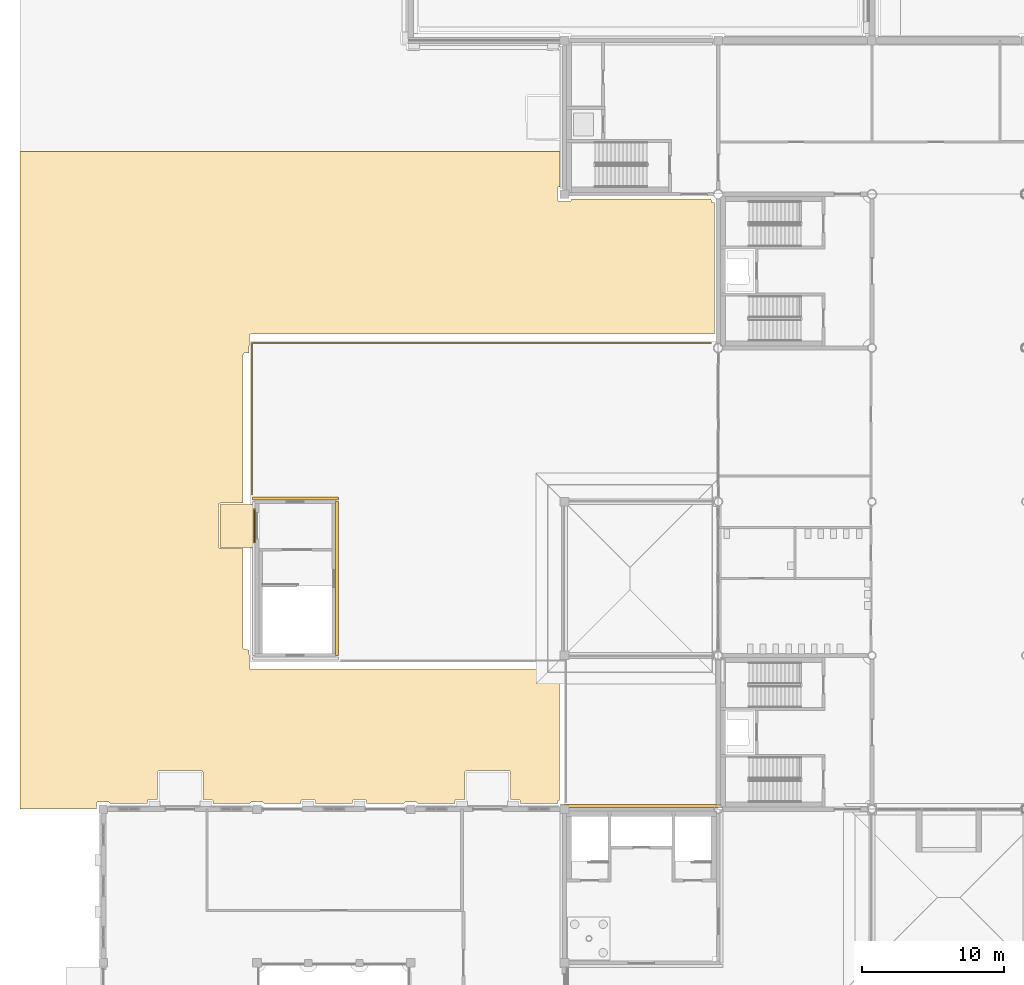
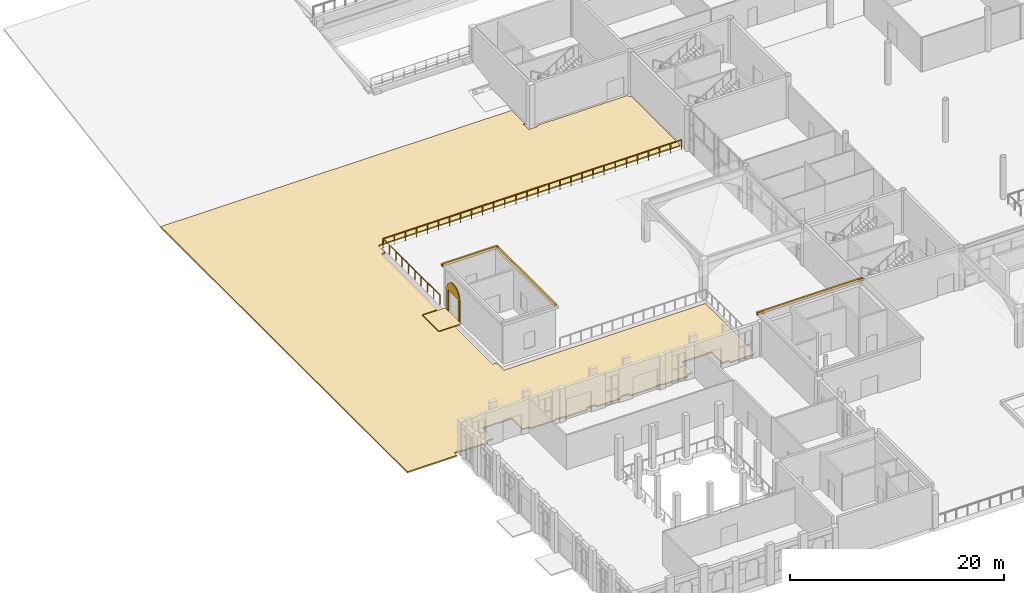
# One storey, part 77 of 91: 6 coverings, 1 railing.
"""IFC4 building model written with IfcOpenShell, lengths in metres."""

from ifc_helpers import new_model, si_unit, direction, frame, origin, origin_2d, place, context, subcontext, project, spatial, polyline, rectangle, circle, outline, extrude, material, layer, layer_set, type_object, element, save


model = new_model("IFC4")

# Units and contexts
model_context = context("Model", 3, precision=1e-05, world=origin(), true_north=direction((0.0, 1.0)))
body_context = subcontext(model_context, "Body", "Model", "MODEL_VIEW")
ifc_project = project(units=[si_unit("LENGTHUNIT", "METRE"), si_unit("AREAUNIT", "SQUARE_METRE"), si_unit("VOLUMEUNIT", "CUBIC_METRE"), si_unit("PLANEANGLEUNIT", "RADIAN"), si_unit("MASSUNIT", "GRAM", prefix="KILO")], contexts=[model_context])

# Site, building, storey
site_placement = place(None, origin())
site = spatial("IfcSite", under=ifc_project, at=site_placement, CompositionType="ELEMENT")
building_placement = place(site_placement, origin())
building = spatial("IfcBuilding", under=site, at=building_placement, Name="Magnolia Steps Interchange", CompositionType="ELEMENT")
storey_placement = place(building_placement, origin())
storey = spatial("IfcBuildingStorey", under=building, at=storey_placement, Name="L00", CompositionType="ELEMENT", Elevation=0.0)

# Coverings
ifc_material_1 = material(Name="Lime render")
ifc_layer_1 = layer(ifc_material_1, 0.10009765625)
ifc_layer_set_1 = layer_set([ifc_layer_1], Name="Arched doorway surround")
covering_type_1 = type_object("IfcCoveringType", Name="Arched doorway surround", PredefinedType="CLADDING", material=ifc_layer_set_1)
covering_1_placement = place(storey_placement, frame((20.675048828125, 63.5, 0.0), z_axis=(1.0, 0.0, 0.0), x_axis=(0.0, 0.0, 1.0)))
element("IfcCovering", 1, at=covering_1_placement, inside=storey, type_object=covering_type_1, Name="Arched doorway surround BE-W", PredefinedType="CLADDING", context=body_context, shape_type="SweptSolid", body=[
    extrude(outline(polyline([(0.0, 0.0), (2.399902344, 0.0), (2.710693359, 0.041015625), (3.0, 0.160888672), (3.248535156, 0.3515625), (3.439208984, 0.600097656), (3.559082031, 0.889404297), (3.600097656, 1.199951172), (3.559082031, 1.510498047), (3.439208984, 1.800048828), (3.248535156, 2.048583984), (3.0, 2.239257812), (2.710693359, 2.359130859), (2.399902344, 2.399902344), (0.0, 2.399902344), (0.0, 2.100097656), (2.399902344, 2.100097656), (2.399902344, 0.300048828), (0.0, 0.300048828), (0.0, 0.0)])), origin(), (0.0, 0.0, -1.0), 0.10009765625),
])
ifc_material_2 = material(Name="Lime render")
ifc_layer_2 = layer(ifc_material_2, 0.199951171875)
ifc_layer_set_2 = layer_set([ifc_layer_2], Name="Lime render cornice")
covering_type_2 = type_object("IfcCoveringType", Name="Lime render cornice", PredefinedType="CLADDING", material=ifc_layer_set_2)
covering_2_placement = place(storey_placement, frame((23.5, 64.22509765625, 4.5), z_axis=(0.0, 0.0, 1.0), x_axis=(1.0, 0.0, 0.0)))
element("IfcCovering", 2, at=covering_2_placement, inside=storey, type_object=covering_type_2, Name="Cornice BE-W N", PredefinedType="CLADDING", context=body_context, shape_type="SweptSolid", body=[
    extrude(rectangle(XDim=6.050048828125, YDim=0.199951171875, at=origin_2d()), origin(), (0.0, 0.0, 1.0), 0.300048828125),
])
covering_3_placement = place(storey_placement, frame((26.425048828125, 58.60009765625, 4.5), z_axis=(0.0, 0.0, 1.0), x_axis=(1.0, 0.0, 0.0)))
element("IfcCovering", 3, at=covering_3_placement, inside=storey, type_object=covering_type_2, Name="Cornice BE-W E", PredefinedType="CLADDING", context=body_context, shape_type="SweptSolid", body=[
    extrude(rectangle(XDim=0.199951171875, YDim=10.800048828125, at=origin_2d()), origin(), (0.0, 0.0, 1.0), 0.300048828125),
])
covering_4_placement = place(storey_placement, frame((47.800048828125, 42.625, 4.5), z_axis=(0.0, 0.0, 1.0), x_axis=(1.0, 0.0, 0.0)))
element("IfcCovering", 4, at=covering_4_placement, inside=storey, type_object=covering_type_2, Name="Cornice BC1 N", PredefinedType="CLADDING", context=body_context, shape_type="SweptSolid", body=[
    extrude(rectangle(XDim=11.449951171875, YDim=0.199951171875, at=origin_2d()), origin(), (0.0, 0.0, 1.0), 0.300048828125),
])

# Railing
ifc_material_3 = material(Name="Painted steel Q355B", Category="steel")
railing_type = type_object("IfcRailingType", Name="Plinth balustrade 1100", PredefinedType="GUARDRAIL", material=ifc_material_3)
railing_placement = place(storey_placement, frame((20.449951171875, 64.5, 0.0)))
element("IfcRailing", 5, at=railing_placement, inside=storey, type_object=railing_type, Name="Plinth edge balustrade 1", PredefinedType="GUARDRAIL", context=body_context, shape_type="SweptSolid", body=[
    extrude(circle(Radius=0.030029296875, at=origin_2d()), frame((0.0, 0.0, 1.070068359375), z_axis=(0.0, 1.0, 0.0), x_axis=(-1.0, 0.0, 0.0)), (0.0, 0.0, 1.0), 10.64990234375),
    extrude(circle(Radius=0.030029296875, at=origin_2d()), frame((0.0, 10.64990234375, 1.070068359375), z_axis=(1.0, 0.0, 0.0), x_axis=(0.0, 1.0, 0.0)), (0.0, 0.0, 1.0), 32.25),
    extrude(circle(Radius=0.02001953125, at=origin_2d()), origin(), (0.0, 0.0, 1.0), 1.0400390625),
    extrude(circle(Radius=0.02001953125, at=origin_2d()), frame((0.0, 1.183349609375, 0.0)), (0.0, 0.0, 1.0), 1.0400390625),
    extrude(circle(Radius=0.02001953125, at=origin_2d()), frame((0.0, 2.36669921875, 0.0)), (0.0, 0.0, 1.0), 1.0400390625),
    extrude(circle(Radius=0.02001953125, at=origin_2d()), frame((0.0, 3.550048828125, 0.0)), (0.0, 0.0, 1.0), 1.0400390625),
    extrude(circle(Radius=0.02001953125, at=origin_2d()), frame((0.0, 4.7333984375, 0.0)), (0.0, 0.0, 1.0), 1.0400390625),
    extrude(circle(Radius=0.02001953125, at=origin_2d()), frame((0.0, 5.91650390625, 0.0)), (0.0, 0.0, 1.0), 1.0400390625),
    extrude(circle(Radius=0.02001953125, at=origin_2d()), frame((0.0, 7.099853515625, 0.0)), (0.0, 0.0, 1.0), 1.0400390625),
    extrude(circle(Radius=0.02001953125, at=origin_2d()), frame((0.0, 8.283203125, 0.0)), (0.0, 0.0, 1.0), 1.0400390625),
    extrude(circle(Radius=0.02001953125, at=origin_2d()), frame((0.0, 9.466552734375, 0.0)), (0.0, 0.0, 1.0), 1.0400390625),
    extrude(circle(Radius=0.02001953125, at=origin_2d()), frame((0.0, 10.64990234375, 0.0)), (0.0, 0.0, 1.0), 1.0400390625),
    extrude(circle(Radius=0.02001953125, at=origin_2d()), frame((1.1943359375, 10.64990234375, 0.0)), (0.0, 0.0, 1.0), 1.0400390625),
    extrude(circle(Radius=0.02001953125, at=origin_2d()), frame((2.388916015625, 10.64990234375, 0.0)), (0.0, 0.0, 1.0), 1.0400390625),
    extrude(circle(Radius=0.02001953125, at=origin_2d()), frame((3.583251953125, 10.64990234375, 0.0)), (0.0, 0.0, 1.0), 1.0400390625),
    extrude(circle(Radius=0.02001953125, at=origin_2d()), frame((4.77783203125, 10.64990234375, 0.0)), (0.0, 0.0, 1.0), 1.0400390625),
    extrude(circle(Radius=0.02001953125, at=origin_2d()), frame((5.97216796875, 10.64990234375, 0.0)), (0.0, 0.0, 1.0), 1.0400390625),
    extrude(circle(Radius=0.02001953125, at=origin_2d()), frame((7.166748046875, 10.64990234375, 0.0)), (0.0, 0.0, 1.0), 1.0400390625),
    extrude(circle(Radius=0.02001953125, at=origin_2d()), frame((8.361083984375, 10.64990234375, 0.0)), (0.0, 0.0, 1.0), 1.0400390625),
    extrude(circle(Radius=0.02001953125, at=origin_2d()), frame((9.5556640625, 10.64990234375, 0.0)), (0.0, 0.0, 1.0), 1.0400390625),
    extrude(circle(Radius=0.02001953125, at=origin_2d()), frame((10.75, 10.64990234375, 0.0)), (0.0, 0.0, 1.0), 1.0400390625),
    extrude(circle(Radius=0.02001953125, at=origin_2d()), frame((11.9443359375, 10.64990234375, 0.0)), (0.0, 0.0, 1.0), 1.0400390625),
    extrude(circle(Radius=0.02001953125, at=origin_2d()), frame((13.138916015625, 10.64990234375, 0.0)), (0.0, 0.0, 1.0), 1.0400390625),
    extrude(circle(Radius=0.02001953125, at=origin_2d()), frame((14.333251953125, 10.64990234375, 0.0)), (0.0, 0.0, 1.0), 1.0400390625),
    extrude(circle(Radius=0.02001953125, at=origin_2d()), frame((15.52783203125, 10.64990234375, 0.0)), (0.0, 0.0, 1.0), 1.0400390625),
    extrude(circle(Radius=0.02001953125, at=origin_2d()), frame((16.72216796875, 10.64990234375, 0.0)), (0.0, 0.0, 1.0), 1.0400390625),
    extrude(circle(Radius=0.02001953125, at=origin_2d()), frame((17.916748046875, 10.64990234375, 0.0)), (0.0, 0.0, 1.0), 1.0400390625),
    extrude(circle(Radius=0.02001953125, at=origin_2d()), frame((19.111083984375, 10.64990234375, 0.0)), (0.0, 0.0, 1.0), 1.0400390625),
    extrude(circle(Radius=0.02001953125, at=origin_2d()), frame((20.3056640625, 10.64990234375, 0.0)), (0.0, 0.0, 1.0), 1.0400390625),
    extrude(circle(Radius=0.02001953125, at=origin_2d()), frame((21.5, 10.64990234375, 0.0)), (0.0, 0.0, 1.0), 1.0400390625),
    extrude(circle(Radius=0.02001953125, at=origin_2d()), frame((22.6943359375, 10.64990234375, 0.0)), (0.0, 0.0, 1.0), 1.0400390625),
    extrude(circle(Radius=0.02001953125, at=origin_2d()), frame((23.888916015625, 10.64990234375, 0.0)), (0.0, 0.0, 1.0), 1.0400390625),
    extrude(circle(Radius=0.02001953125, at=origin_2d()), frame((25.083251953125, 10.64990234375, 0.0)), (0.0, 0.0, 1.0), 1.0400390625),
    extrude(circle(Radius=0.02001953125, at=origin_2d()), frame((26.27783203125, 10.64990234375, 0.0)), (0.0, 0.0, 1.0), 1.0400390625),
    extrude(circle(Radius=0.02001953125, at=origin_2d()), frame((27.47216796875, 10.64990234375, 0.0)), (0.0, 0.0, 1.0), 1.0400390625),
    extrude(circle(Radius=0.02001953125, at=origin_2d()), frame((28.666748046875, 10.64990234375, 0.0)), (0.0, 0.0, 1.0), 1.0400390625),
    extrude(circle(Radius=0.02001953125, at=origin_2d()), frame((29.861083984375, 10.64990234375, 0.0)), (0.0, 0.0, 1.0), 1.0400390625),
    extrude(circle(Radius=0.02001953125, at=origin_2d()), frame((31.0556640625, 10.64990234375, 0.0)), (0.0, 0.0, 1.0), 1.0400390625),
    extrude(circle(Radius=0.02001953125, at=origin_2d()), frame((32.25, 10.64990234375, 0.0)), (0.0, 0.0, 1.0), 1.0400390625),
])

# Coverings
ifc_material_4 = material(Name="Natural stone paving", Category="masonry")
ifc_layer_3 = layer(ifc_material_4, 0.14990234375)
ifc_layer_set_3 = layer_set([ifc_layer_3], Name="Stone paving 150")
covering_type_3 = type_object("IfcCoveringType", Name="Stone paving 150", PredefinedType="FLOORING", material=ifc_layer_set_3)
covering_5_placement = place(storey_placement, frame((19.41259765625, 62.300048828125, -0.14990234375), z_axis=(0.0, 0.0, 1.0), x_axis=(1.0, 0.0, 0.0)))
element("IfcCovering", 6, at=covering_5_placement, inside=storey, type_object=covering_type_3, Name="Entrance paving", PredefinedType="FLOORING", context=body_context, shape_type="SweptSolid", body=[
    extrude(rectangle(XDim=2.425048828125, YDim=3.0, at=origin_2d()), origin(), (0.0, 0.0, 1.0), 0.14990234375),
])
covering_6_placement = place(storey_placement, frame((0.0, 0.0, -0.14990234375)))
element("IfcCovering", 7, at=covering_6_placement, inside=storey, type_object=covering_type_3, Name="Court paving west", PredefinedType="FLOORING", context=body_context, shape_type="SweptSolid", body=[
    extrude(outline(polyline([(4.14990234375, 88.60009765625), (42.074951171875, 88.60009765625), (42.074951171875, 86.10009765625), (41.961669921875, 86.09228515625), (41.90185546875, 86.01953125), (41.911865234375, 85.15283203125), (41.990234375, 85.1005859375), (42.809814453125, 85.1005859375), (42.88818359375, 85.15283203125), (42.89990234375, 85.27490234375), (52.699951171875, 85.27490234375), (52.729248046875, 85.029296875), (52.949951171875, 85.0), (52.949951171875, 75.77001953125), (20.35009765625, 75.77001953125), (20.26171875, 75.717041015625), (20.25, 74.449951171875), (19.910400390625, 74.447998046875), (19.830078125, 74.35009765625), (19.830078125, 63.89990234375), (18.199951171875, 63.89990234375), (18.11181640625, 63.84716796875), (18.10009765625, 60.800048828125), (18.190185546875, 60.700439453125), (19.830078125, 60.699951171875), (19.83056640625, 53.690185546875), (19.910400390625, 53.601806640625), (20.25, 53.60009765625), (20.266845703125, 52.2744140625), (20.35009765625, 52.22998046875), (42.050048828125, 52.22998046875), (42.050048828125, 43.0), (41.922607421875, 42.96337890625), (41.89990234375, 42.800048828125), (39.300048828125, 42.800048828125), (39.298095703125, 42.994384765625), (39.23828125, 43.0673828125), (38.60009765625, 43.074951171875), (38.60009765625, 45.0), (38.5556640625, 45.0830078125), (35.5, 45.10009765625), (35.400390625, 45.009765625), (35.39990234375, 43.074951171875), (34.76171875, 43.0673828125), (34.701904296875, 42.994384765625), (34.699951171875, 42.800048828125), (32.10009765625, 42.800048828125), (32.009765625, 42.8994140625), (31.199951171875, 42.89990234375), (31.10009765625, 42.800048828125), (28.5, 42.800048828125), (28.49560546875, 43.00390625), (28.428955078125, 43.07080078125), (27.60009765625, 43.074951171875), (27.507568359375, 43.01318359375), (27.5, 42.800048828125), (24.89990234375, 42.800048828125), (24.895751953125, 43.00390625), (24.8291015625, 43.07080078125), (24.0, 43.074951171875), (23.90771484375, 43.01318359375), (23.89990234375, 42.800048828125), (21.300048828125, 42.800048828125), (21.209716796875, 42.8994140625), (20.39990234375, 42.89990234375), (20.300048828125, 42.800048828125), (17.699951171875, 42.800048828125), (17.697998046875, 42.994384765625), (17.63818359375, 43.0673828125), (17.0, 43.074951171875), (17.0, 45.0), (16.95556640625, 45.0830078125), (13.89990234375, 45.10009765625), (13.800537109375, 45.009765625), (13.800048828125, 43.074951171875), (13.16162109375, 43.0673828125), (13.101806640625, 42.994384765625), (13.10009765625, 42.800048828125), (10.5, 42.800048828125), (10.39990234375, 42.89990234375), (9.590087890625, 42.8994140625), (9.516845703125, 42.855712890625), (9.50830078125, 42.39990234375), (4.14990234375, 42.39990234375), (4.14990234375, 88.60009765625)])), origin(), (0.0, 0.0, 1.0), 0.14990234375),
])

save(model, "model.ifc")
